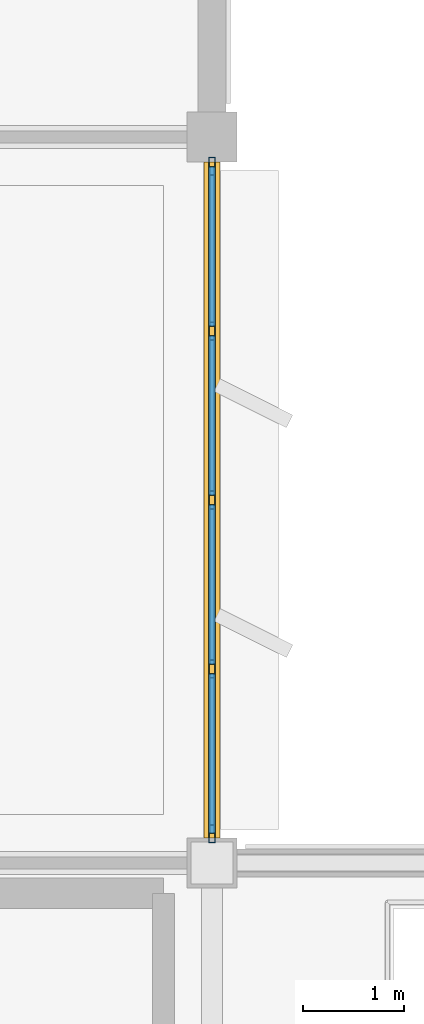
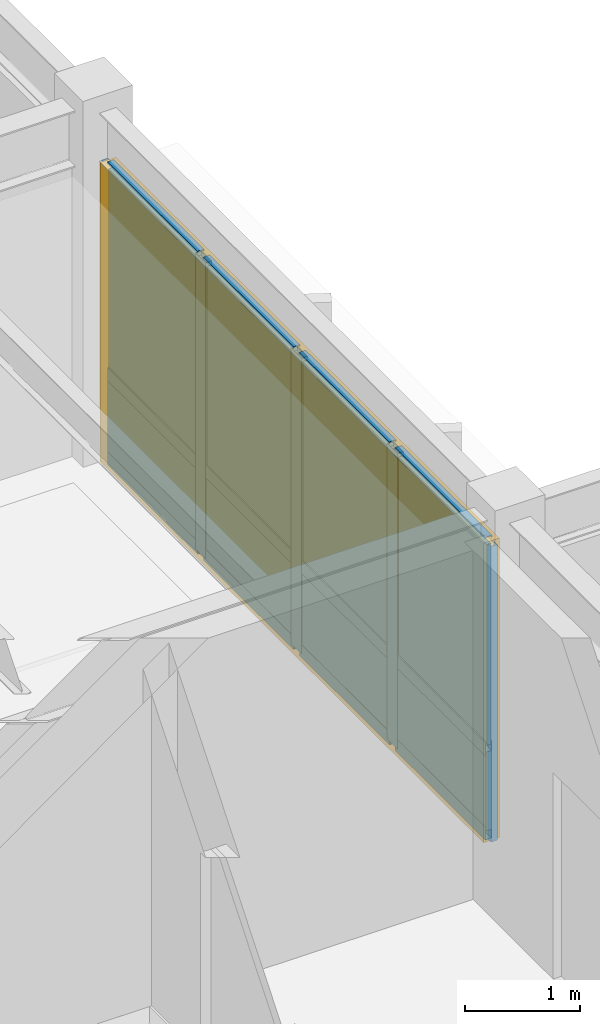
# One storey, part 10 of 23: 17 members, 8 plates, 1 curtain wall.
"""IFC4 building model written with IfcOpenShell, lengths in metres."""

from ifc_helpers import new_model, si_unit, direction, frame, origin, origin_2d, place, context, subcontext, project, spatial, rectangle, hollow_rectangle, extrude, material, layer, layer_set, material_profile, profile_set, type_object, element, aggregate, save


model = new_model("IFC4")

# Units and contexts
model_context = context("Model", 3, precision=1e-05, world=origin(), true_north=direction((0.0, 1.0)))
body_context = subcontext(model_context, "Body", "Model", "MODEL_VIEW")
ifc_project = project(units=[si_unit("LENGTHUNIT", "METRE"), si_unit("AREAUNIT", "SQUARE_METRE"), si_unit("VOLUMEUNIT", "CUBIC_METRE"), si_unit("PLANEANGLEUNIT", "RADIAN"), si_unit("MASSUNIT", "GRAM", prefix="KILO")], contexts=[model_context])

# Member
ifc_material_1 = material(Name="Anodized Aluminium 6063-T6", Category="aluminium")
ifc_material_profile_1 = material_profile(ifc_material_1, hollow_rectangle(XDim=0.06494140625, YDim=0.179931640625, WallThickness=0.00390625, at=origin_2d()), Name="ALU 65x180x4")
ifc_profile_set_1 = profile_set([ifc_material_profile_1], Name="Anodized Aluminium 6063-T6")
member_type_1 = type_object("IfcMemberType", Name="CWM-65X150", PredefinedType="MULLION", material=ifc_profile_set_1)
site_placement = place(None, origin())
building_placement = place(site_placement, origin())
storey_placement = place(building_placement, frame((0.0, 0.0, 21.89990234375)))
member_1_placement = place(storey_placement, frame((72.0, 100.510009765625, 0.02001953125), z_axis=(0.0, 0.0, 1.0), x_axis=(1.0, 0.0, 0.0)))
member_1 = element("IfcMember", 1, at=member_1_placement, type_object=member_type_1, Name="Curtain wall mullion CW-L06-09-13-E-00", PredefinedType="MULLION", context=body_context, shape_type="SweptSolid", body=[
    extrude(hollow_rectangle(XDim=0.06494140625, YDim=0.179931640625, WallThickness=0.00390625, at=origin_2d()), origin(), (0.0, 0.0, 1.0), 3.152099609375),
])

member_2_placement = place(storey_placement, frame((72.0, 98.875, 0.02001953125), z_axis=(0.0, 0.0, 1.0), x_axis=(1.0, 0.0, 0.0)))
member_2 = element("IfcMember", 2, at=member_2_placement, type_object=member_type_1, Name="Curtain wall mullion CW-L06-09-13-E-01", PredefinedType="MULLION", context=body_context, shape_type="SweptSolid", body=[
    extrude(hollow_rectangle(XDim=0.06494140625, YDim=0.179931640625, WallThickness=0.00390625, at=origin_2d()), origin(), (0.0, 0.0, 1.0), 3.152099609375),
])

member_3_placement = place(storey_placement, frame((72.0, 97.199951171875, 0.02001953125), z_axis=(0.0, 0.0, 1.0), x_axis=(1.0, 0.0, 0.0)))
member_3 = element("IfcMember", 3, at=member_3_placement, type_object=member_type_1, Name="Curtain wall mullion CW-L06-09-13-E-02", PredefinedType="MULLION", context=body_context, shape_type="SweptSolid", body=[
    extrude(hollow_rectangle(XDim=0.06494140625, YDim=0.179931640625, WallThickness=0.00390625, at=origin_2d()), origin(), (0.0, 0.0, 1.0), 3.152099609375),
])

member_4_placement = place(storey_placement, frame((72.0, 95.52490234375, 0.02001953125), z_axis=(0.0, 0.0, 1.0), x_axis=(1.0, 0.0, 0.0)))
member_4 = element("IfcMember", 4, at=member_4_placement, type_object=member_type_1, Name="Curtain wall mullion CW-L06-09-13-E-03", PredefinedType="MULLION", context=body_context, shape_type="SweptSolid", body=[
    extrude(hollow_rectangle(XDim=0.06494140625, YDim=0.179931640625, WallThickness=0.00390625, at=origin_2d()), origin(), (0.0, 0.0, 1.0), 3.152099609375),
])

member_5_placement = place(storey_placement, frame((72.0, 93.889892578125, 0.02001953125), z_axis=(0.0, 0.0, 1.0), x_axis=(1.0, 0.0, 0.0)))
member_5 = element("IfcMember", 5, at=member_5_placement, type_object=member_type_1, Name="Curtain wall mullion CW-L06-09-13-E-04", PredefinedType="MULLION", context=body_context, shape_type="SweptSolid", body=[
    extrude(hollow_rectangle(XDim=0.06494140625, YDim=0.179931640625, WallThickness=0.00390625, at=origin_2d()), origin(), (0.0, 0.0, 1.0), 3.152099609375),
])

ifc_material_profile_2 = material_profile(ifc_material_1, hollow_rectangle(XDim=0.06494140625, YDim=0.139892578125, WallThickness=0.00390625, at=origin_2d()), Name="ALU 65x140x4")
ifc_profile_set_2 = profile_set([ifc_material_profile_2], Name="Anodized Aluminium 6063-T6")
member_type_2 = type_object("IfcMemberType", Name="CWT-65X120", PredefinedType="USERDEFINED", material=ifc_profile_set_2)
member_6_placement = place(storey_placement, frame((72.0, 100.5, 0.050048828125), z_axis=(0.0, -1.0, 0.0), x_axis=(1.0, 0.0, 0.0)))
member_6 = element("IfcMember", 6, at=member_6_placement, type_object=member_type_2, Name="Curtain wall transom CW-L06-09-13-E-1.01", ObjectType="TRANSOM", PredefinedType="USERDEFINED", context=body_context, shape_type="SweptSolid", body=[
    extrude(hollow_rectangle(XDim=0.06494140625, YDim=0.139892578125, WallThickness=0.00390625, at=origin_2d()), origin(), (0.0, 0.0, 1.0), 1.574951171875),
])

member_7_placement = place(storey_placement, frame((72.0, 98.824951171875, 0.050048828125), z_axis=(0.0, -1.0, 0.0), x_axis=(1.0, 0.0, 0.0)))
member_7 = element("IfcMember", 7, at=member_7_placement, type_object=member_type_2, Name="Curtain wall transom CW-L06-09-13-E-1.02", ObjectType="TRANSOM", PredefinedType="USERDEFINED", context=body_context, shape_type="SweptSolid", body=[
    extrude(hollow_rectangle(XDim=0.06494140625, YDim=0.139892578125, WallThickness=0.00390625, at=origin_2d()), origin(), (0.0, 0.0, 1.0), 1.574951171875),
])

member_8_placement = place(storey_placement, frame((72.0, 97.14990234375, 0.050048828125), z_axis=(0.0, -1.0, 0.0), x_axis=(1.0, 0.0, 0.0)))
member_8 = element("IfcMember", 8, at=member_8_placement, type_object=member_type_2, Name="Curtain wall transom CW-L06-09-13-E-1.03", ObjectType="TRANSOM", PredefinedType="USERDEFINED", context=body_context, shape_type="SweptSolid", body=[
    extrude(hollow_rectangle(XDim=0.06494140625, YDim=0.139892578125, WallThickness=0.00390625, at=origin_2d()), origin(), (0.0, 0.0, 1.0), 1.574951171875),
])

member_9_placement = place(storey_placement, frame((72.0, 95.47509765625, 0.050048828125), z_axis=(0.0, -1.0, 0.0), x_axis=(1.0, 0.0, 0.0)))
member_9 = element("IfcMember", 9, at=member_9_placement, type_object=member_type_2, Name="Curtain wall transom CW-L06-09-13-E-1.04", ObjectType="TRANSOM", PredefinedType="USERDEFINED", context=body_context, shape_type="SweptSolid", body=[
    extrude(hollow_rectangle(XDim=0.06494140625, YDim=0.139892578125, WallThickness=0.00390625, at=origin_2d()), origin(), (0.0, 0.0, 1.0), 1.5751953125),
])

member_10_placement = place(storey_placement, frame((72.0, 100.5, 0.9501953125), z_axis=(0.0, -1.0, 0.0), x_axis=(1.0, 0.0, 0.0)))
member_10 = element("IfcMember", 10, at=member_10_placement, type_object=member_type_2, Name="Curtain wall transom CW-L06-09-13-E-2.01", ObjectType="TRANSOM", PredefinedType="USERDEFINED", context=body_context, shape_type="SweptSolid", body=[
    extrude(hollow_rectangle(XDim=0.06494140625, YDim=0.139892578125, WallThickness=0.00390625, at=origin_2d()), origin(), (0.0, 0.0, 1.0), 1.574951171875),
])

member_11_placement = place(storey_placement, frame((72.0, 98.824951171875, 0.9501953125), z_axis=(0.0, -1.0, 0.0), x_axis=(1.0, 0.0, 0.0)))
member_11 = element("IfcMember", 11, at=member_11_placement, type_object=member_type_2, Name="Curtain wall transom CW-L06-09-13-E-2.02", ObjectType="TRANSOM", PredefinedType="USERDEFINED", context=body_context, shape_type="SweptSolid", body=[
    extrude(hollow_rectangle(XDim=0.06494140625, YDim=0.139892578125, WallThickness=0.00390625, at=origin_2d()), origin(), (0.0, 0.0, 1.0), 1.574951171875),
])

member_12_placement = place(storey_placement, frame((72.0, 97.14990234375, 0.9501953125), z_axis=(0.0, -1.0, 0.0), x_axis=(1.0, 0.0, 0.0)))
member_12 = element("IfcMember", 12, at=member_12_placement, type_object=member_type_2, Name="Curtain wall transom CW-L06-09-13-E-2.03", ObjectType="TRANSOM", PredefinedType="USERDEFINED", context=body_context, shape_type="SweptSolid", body=[
    extrude(hollow_rectangle(XDim=0.06494140625, YDim=0.139892578125, WallThickness=0.00390625, at=origin_2d()), origin(), (0.0, 0.0, 1.0), 1.574951171875),
])

member_13_placement = place(storey_placement, frame((72.0, 95.47509765625, 0.9501953125), z_axis=(0.0, -1.0, 0.0), x_axis=(1.0, 0.0, 0.0)))
member_13 = element("IfcMember", 13, at=member_13_placement, type_object=member_type_2, Name="Curtain wall transom CW-L06-09-13-E-2.04", ObjectType="TRANSOM", PredefinedType="USERDEFINED", context=body_context, shape_type="SweptSolid", body=[
    extrude(hollow_rectangle(XDim=0.06494140625, YDim=0.139892578125, WallThickness=0.00390625, at=origin_2d()), origin(), (0.0, 0.0, 1.0), 1.5751953125),
])

member_14_placement = place(storey_placement, frame((72.0, 100.5, 3.14208984375), z_axis=(0.0, -1.0, 0.0), x_axis=(1.0, 0.0, 0.0)))
member_14 = element("IfcMember", 14, at=member_14_placement, type_object=member_type_2, Name="Curtain wall transom CW-L06-09-13-E-3.01", ObjectType="TRANSOM", PredefinedType="USERDEFINED", context=body_context, shape_type="SweptSolid", body=[
    extrude(hollow_rectangle(XDim=0.06494140625, YDim=0.139892578125, WallThickness=0.00390625, at=origin_2d()), origin(), (0.0, 0.0, 1.0), 1.574951171875),
])

member_15_placement = place(storey_placement, frame((72.0, 98.824951171875, 3.14208984375), z_axis=(0.0, -1.0, 0.0), x_axis=(1.0, 0.0, 0.0)))
member_15 = element("IfcMember", 15, at=member_15_placement, type_object=member_type_2, Name="Curtain wall transom CW-L06-09-13-E-3.02", ObjectType="TRANSOM", PredefinedType="USERDEFINED", context=body_context, shape_type="SweptSolid", body=[
    extrude(hollow_rectangle(XDim=0.06494140625, YDim=0.139892578125, WallThickness=0.00390625, at=origin_2d()), origin(), (0.0, 0.0, 1.0), 1.574951171875),
])

member_16_placement = place(storey_placement, frame((72.0, 97.14990234375, 3.14208984375), z_axis=(0.0, -1.0, 0.0), x_axis=(1.0, 0.0, 0.0)))
member_16 = element("IfcMember", 16, at=member_16_placement, type_object=member_type_2, Name="Curtain wall transom CW-L06-09-13-E-3.03", ObjectType="TRANSOM", PredefinedType="USERDEFINED", context=body_context, shape_type="SweptSolid", body=[
    extrude(hollow_rectangle(XDim=0.06494140625, YDim=0.139892578125, WallThickness=0.00390625, at=origin_2d()), origin(), (0.0, 0.0, 1.0), 1.574951171875),
])

member_17_placement = place(storey_placement, frame((72.0, 95.47509765625, 3.14208984375), z_axis=(0.0, -1.0, 0.0), x_axis=(1.0, 0.0, 0.0)))
member_17 = element("IfcMember", 17, at=member_17_placement, type_object=member_type_2, Name="Curtain wall transom CW-L06-09-13-E-3.04", ObjectType="TRANSOM", PredefinedType="USERDEFINED", context=body_context, shape_type="SweptSolid", body=[
    extrude(hollow_rectangle(XDim=0.06494140625, YDim=0.139892578125, WallThickness=0.00390625, at=origin_2d()), origin(), (0.0, 0.0, 1.0), 1.5751953125),
])

# Plate
ifc_material_2 = material(Name="Double Low-E Insulated Glazing Unit", Category="glass")
ifc_layer_1 = layer(ifc_material_2, 0.0380859375)
ifc_layer_set_1 = layer_set([ifc_layer_1], Name="Double Low-E Insulated Glazing Unit")
plate_type_1 = type_object("IfcPlateType", Name="CWP-IGU-38", PredefinedType="CURTAIN_PANEL", material=ifc_layer_set_1)
plate_1_placement = place(storey_placement, frame((72.0, 99.71240234375, 0.989990234375), z_axis=(0.0, 0.0, 1.0), x_axis=(0.0, -1.0, 0.0)))
plate_1 = element("IfcPlate", 18, at=plate_1_placement, type_object=plate_type_1, Name="Curtain wall vision glazing CW-L06-09-13-E-01", PredefinedType="CURTAIN_PANEL", context=body_context, shape_type="SweptSolid", body=[
    extrude(rectangle(XDim=1.5849609375, YDim=0.0400390625, at=origin_2d()), origin(), (0.0, 0.0, 1.0), 2.14208984375),
])

plate_2_placement = place(storey_placement, frame((72.0, 98.03759765625, 0.989990234375), z_axis=(0.0, 0.0, 1.0), x_axis=(0.0, -1.0, 0.0)))
plate_2 = element("IfcPlate", 19, at=plate_2_placement, type_object=plate_type_1, Name="Curtain wall vision glazing CW-L06-09-13-E-02", PredefinedType="CURTAIN_PANEL", context=body_context, shape_type="SweptSolid", body=[
    extrude(rectangle(XDim=1.5849609375, YDim=0.0400390625, at=origin_2d()), origin(), (0.0, 0.0, 1.0), 2.14208984375),
])

plate_3_placement = place(storey_placement, frame((72.0, 96.362548828125, 0.989990234375), z_axis=(0.0, 0.0, 1.0), x_axis=(0.0, -1.0, 0.0)))
plate_3 = element("IfcPlate", 20, at=plate_3_placement, type_object=plate_type_1, Name="Curtain wall vision glazing CW-L06-09-13-E-03", PredefinedType="CURTAIN_PANEL", context=body_context, shape_type="SweptSolid", body=[
    extrude(rectangle(XDim=1.5849609375, YDim=0.0400390625, at=origin_2d()), origin(), (0.0, 0.0, 1.0), 2.14208984375),
])

plate_4_placement = place(storey_placement, frame((72.0, 94.6875, 0.989990234375), z_axis=(0.0, 0.0, 1.0), x_axis=(0.0, -1.0, 0.0)))
plate_4 = element("IfcPlate", 21, at=plate_4_placement, type_object=plate_type_1, Name="Curtain wall vision glazing CW-L06-09-13-E-04", PredefinedType="CURTAIN_PANEL", context=body_context, shape_type="SweptSolid", body=[
    extrude(rectangle(XDim=1.5849609375, YDim=0.0400390625, at=origin_2d()), origin(), (0.0, 0.0, 1.0), 2.14208984375),
])

ifc_material_3 = material(Name="Insulated Bronze Aluminium Spandrel", Category="aluminium")
ifc_layer_2 = layer(ifc_material_3, 0.06005859375)
ifc_layer_set_2 = layer_set([ifc_layer_2], Name="Insulated Bronze Aluminium Spandrel")
plate_type_2 = type_object("IfcPlateType", Name="CWP-SPN-60", PredefinedType="CURTAIN_PANEL", material=ifc_layer_set_2)
plate_5_placement = place(storey_placement, frame((72.0, 99.71240234375, 0.080078125), z_axis=(0.0, 0.0, 1.0), x_axis=(0.0, -1.0, 0.0)))
plate_5 = element("IfcPlate", 22, at=plate_5_placement, type_object=plate_type_2, Name="Curtain wall spandrel panel CW-L06-09-13-E-01", PredefinedType="CURTAIN_PANEL", context=body_context, shape_type="SweptSolid", body=[
    extrude(rectangle(XDim=1.5849609375, YDim=0.06005859375, at=origin_2d()), origin(), (0.0, 0.0, 1.0), 0.840087890625),
])

plate_6_placement = place(storey_placement, frame((72.0, 98.03759765625, 0.080078125), z_axis=(0.0, 0.0, 1.0), x_axis=(0.0, -1.0, 0.0)))
plate_6 = element("IfcPlate", 23, at=plate_6_placement, type_object=plate_type_2, Name="Curtain wall spandrel panel CW-L06-09-13-E-02", PredefinedType="CURTAIN_PANEL", context=body_context, shape_type="SweptSolid", body=[
    extrude(rectangle(XDim=1.5849609375, YDim=0.06005859375, at=origin_2d()), origin(), (0.0, 0.0, 1.0), 0.840087890625),
])

plate_7_placement = place(storey_placement, frame((72.0, 96.362548828125, 0.080078125), z_axis=(0.0, 0.0, 1.0), x_axis=(0.0, -1.0, 0.0)))
plate_7 = element("IfcPlate", 24, at=plate_7_placement, type_object=plate_type_2, Name="Curtain wall spandrel panel CW-L06-09-13-E-03", PredefinedType="CURTAIN_PANEL", context=body_context, shape_type="SweptSolid", body=[
    extrude(rectangle(XDim=1.5849609375, YDim=0.06005859375, at=origin_2d()), origin(), (0.0, 0.0, 1.0), 0.840087890625),
])

plate_8_placement = place(storey_placement, frame((72.0, 94.6875, 0.080078125), z_axis=(0.0, 0.0, 1.0), x_axis=(0.0, -1.0, 0.0)))
plate_8 = element("IfcPlate", 25, at=plate_8_placement, type_object=plate_type_2, Name="Curtain wall spandrel panel CW-L06-09-13-E-04", PredefinedType="CURTAIN_PANEL", context=body_context, shape_type="SweptSolid", body=[
    extrude(rectangle(XDim=1.5849609375, YDim=0.06005859375, at=origin_2d()), origin(), (0.0, 0.0, 1.0), 0.840087890625),
])

# Site, building, storey
site = spatial("IfcSite", under=ifc_project, at=site_placement, CompositionType="ELEMENT")
building = spatial("IfcBuilding", under=site, at=building_placement, Name="Sillqori Civic Hall", CompositionType="ELEMENT")
storey = spatial("IfcBuildingStorey", under=building, at=storey_placement, Name="L06", CompositionType="ELEMENT", Elevation=21.89990234375)

# Curtain wall
ifc_material_4 = material(Name="Anodized Aluminium Curtain Wall System", Category="aluminium")
curtain_wall_type = type_object("IfcCurtainWallType", Name="CW-EX-375", PredefinedType="NOTDEFINED", material=ifc_material_4)
curtain_wall_placement = place(storey_placement, frame((72.0, 97.199951171875, 0.000244140625), z_axis=(0.0, 0.0, 1.0), x_axis=(0.0, -1.0, 0.0)))
curtain_wall = element("IfcCurtainWall", 26, at=curtain_wall_placement, inside=storey, type_object=curtain_wall_type, Name="L06 unitised curtain wall CW-L06-09-13-E", PredefinedType="NOTDEFINED", context=body_context, shape_type="SweptSolid", body=[
    extrude(rectangle(XDim=6.699951171875, YDim=0.159912109375, at=origin_2d()), origin(), (0.0, 0.0, 1.0), 3.19189453125),
])

aggregate(curtain_wall, [member_1, member_2, member_3, member_4, member_5, member_6, member_7, member_8, member_9, member_10, member_11, member_12, member_13, member_14, member_15, member_16, member_17, plate_5, plate_1, plate_6, plate_2, plate_7, plate_3, plate_8, plate_4])

save(model, "model.ifc")
